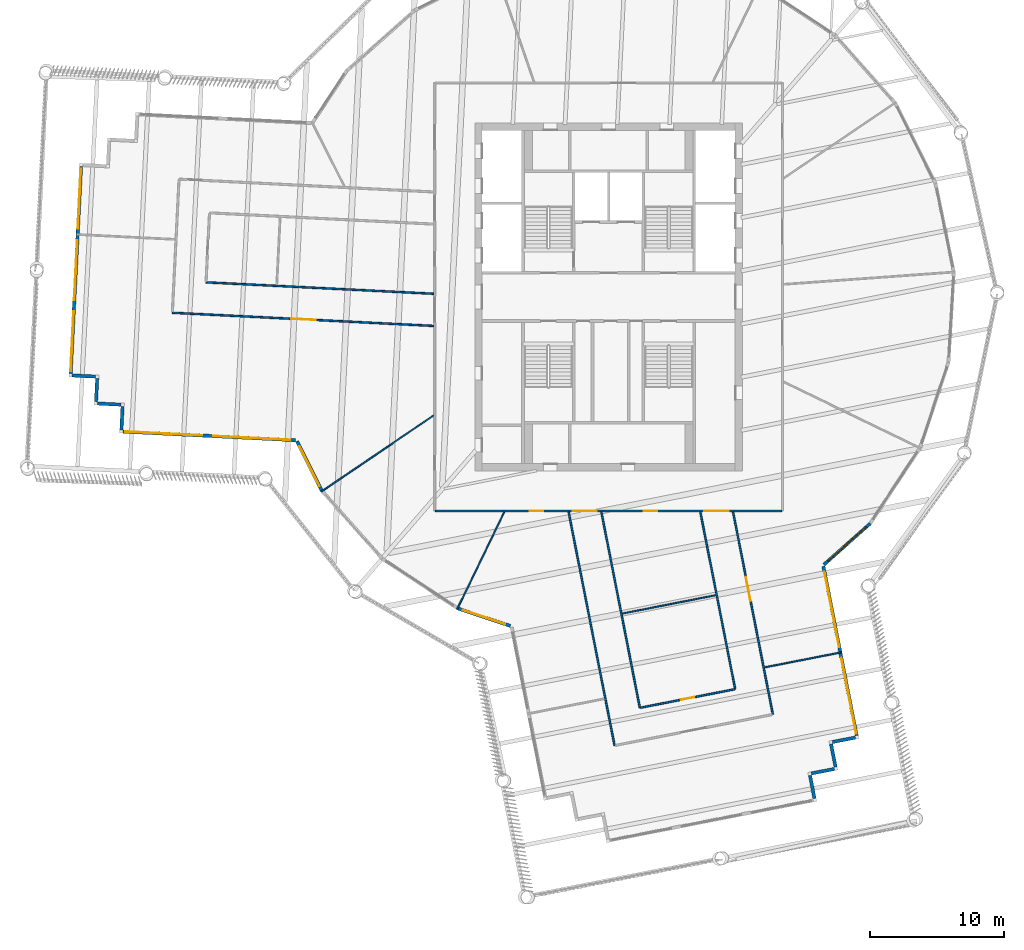
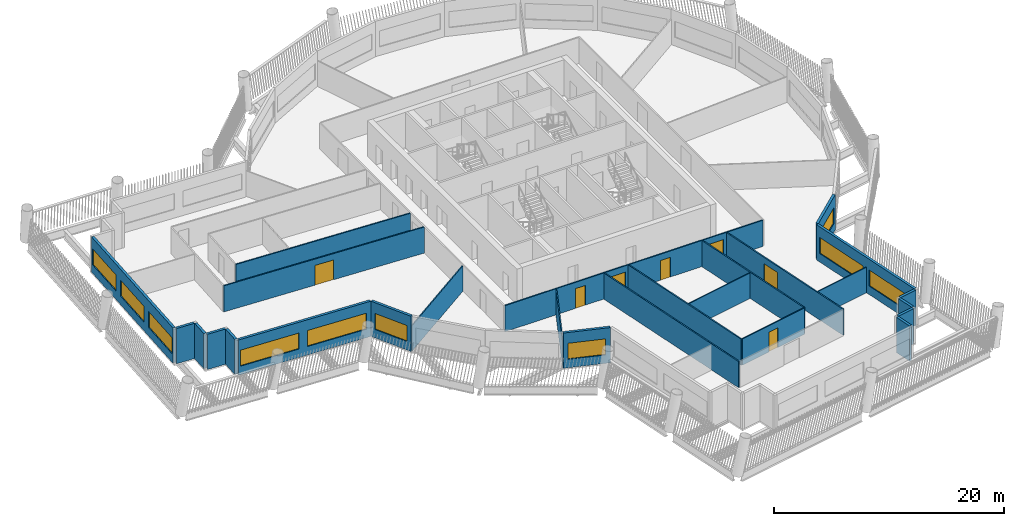
# One storey, part 3 of 14: 26 walls, 10 windows, 7 doors, 17 openings.
"""IFC4 building model written with IfcOpenShell, lengths in metres."""

from ifc_helpers import new_model, si_unit, direction, frame, frame_2d, origin, place, context, subcontext, project, spatial, rectangle, extrude, material, layer, layer_set, type_object, element, fill, save


model = new_model("IFC4")

# Units and contexts
model_context = context("Model", 3, precision=1e-05, world=origin(), true_north=direction((0.0, 1.0)))
body_context = subcontext(model_context, "Body", "Model", "MODEL_VIEW")
ifc_project = project(units=[si_unit("LENGTHUNIT", "METRE"), si_unit("AREAUNIT", "SQUARE_METRE"), si_unit("VOLUMEUNIT", "CUBIC_METRE"), si_unit("PLANEANGLEUNIT", "RADIAN"), si_unit("MASSUNIT", "GRAM", prefix="KILO")], contexts=[model_context])

# Site, building, storey
site_placement = place(None, origin())
site = spatial("IfcSite", under=ifc_project, at=site_placement, CompositionType="ELEMENT")
building_placement = place(site_placement, origin())
building = spatial("IfcBuilding", under=site, at=building_placement, Name="Tarsis Ring Headquarters", CompositionType="ELEMENT")
storey_placement = place(building_placement, frame((0.0, 0.0, 274.699951171875)))
storey = spatial("IfcBuildingStorey", under=building, at=storey_placement, Name="L64", CompositionType="ELEMENT", Elevation=274.699951171875)

# Walls
ifc_material_1 = material(Name="Gypsum board on steel studs", Category="steel")
ifc_layer_1 = layer(ifc_material_1, 0.10009765625)
ifc_layer_set_1 = layer_set([ifc_layer_1], Name="FL partition 100 unrated")
wall_type_1 = type_object("IfcWallType", Name="FL partition 100 unrated", PredefinedType="PARTITIONING", material=ifc_layer_set_1)
wall_1_placement = place(storey_placement, frame((-21.481201171875, -14.554931640625, 0.0), z_axis=(0.0, 0.0, 1.0), x_axis=(0.827865336764, 0.560926897363, 0.0)))
element("IfcWall", 1, at=wall_1_placement, inside=storey, type_object=wall_type_1, Name="Partition PW3", PredefinedType="PARTITIONING", context=body_context, shape_type="SweptSolid", body=[
    extrude(rectangle(XDim=10.144775390625, YDim=0.10009765625, at=frame_2d((5.072265625, 0.0))), origin(), (0.0, 0.0, 1.0), 2.699951171875),
])
wall_2_placement = place(storey_placement, frame((-11.325927734375, -23.345458984375, 0.0), z_axis=(0.0, 0.0, 1.0), x_axis=(0.436503187928, 0.899702710304, 0.0)))
element("IfcWall", 2, at=wall_2_placement, inside=storey, type_object=wall_type_1, Name="Partition PW3", PredefinedType="PARTITIONING", context=body_context, shape_type="SweptSolid", body=[
    extrude(rectangle(XDim=8.084228515625, YDim=0.10009765625, at=frame_2d((4.0419921875, 0.0))), origin(), (0.0, 0.0, 1.0), 2.699951171875),
])
wall_3_placement = place(storey_placement, frame((1.023681640625, -23.6669921875, 0.0), z_axis=(0.0, 0.0, 1.0), x_axis=(0.981222870935, 0.192877364027, 0.0)))
element("IfcWall", 3, at=wall_3_placement, inside=storey, type_object=wall_type_1, Name="Partition PW3", PredefinedType="PARTITIONING", context=body_context, shape_type="SweptSolid", body=[
    extrude(rectangle(XDim=7.1201171875, YDim=0.10009765625, at=frame_2d((3.56005859375, 0.0))), origin(), (0.0, 0.0, 1.0), 2.699951171875),
])
wall_4_placement = place(storey_placement, frame((11.659423828125, -27.691162109375, 0.0), z_axis=(0.0, 0.0, 1.0), x_axis=(0.981228518728, 0.19284862985, 0.0)))
element("IfcWall", 4, at=wall_4_placement, inside=storey, type_object=wall_type_1, Name="Partition PW3", PredefinedType="PARTITIONING", context=body_context, shape_type="SweptSolid", body=[
    extrude(rectangle(XDim=5.85009765625, YDim=0.10009765625, at=frame_2d((2.925048828125, 0.0))), origin(), (0.0, 0.0, 1.0), 2.699951171875),
])

# Wall, openings, doors
ifc_layer_2 = layer(ifc_material_1, 0.125)
ifc_layer_set_2 = layer_set([ifc_layer_2], Name="FL partition 125 EI 60 H2770")
wall_type_2 = type_object("IfcWallType", Name="FL partition 125 EI 60 H2770", PredefinedType="PARTITIONING", material=ifc_layer_set_2)
wall_5_placement = place(storey_placement, frame((-12.93994140625, -16.0, 0.0), z_axis=(0.0, 0.0, 1.0), x_axis=(1.0, 0.0, 0.0)))
wall_5 = element("IfcWall", 5, at=wall_5_placement, inside=storey, type_object=wall_type_2, Name="Partition PW1", PredefinedType="PARTITIONING", context=body_context, shape_type="SweptSolid", body=[
    extrude(rectangle(XDim=25.8798828125, YDim=0.125, at=frame_2d((12.93994140625, 0.0))), origin(), (0.0, 0.0, 1.0), 2.77001953125),
])
opening_1_placement = place(wall_5_placement, frame((7.05859375, 0.0, 0.0)))
opening_1 = element("IfcOpeningElement", 6, at=opening_1_placement, cuts=wall_5, Name="Opening D64.10", PredefinedType="OPENING", context=body_context, shape_type="SweptSolid", body=[
    extrude(rectangle(XDim=1.0, YDim=2.10009765625, at=frame_2d((0.5, 1.050048828125))), frame((0.0, 0.072509765625, 0.0), z_axis=(0.0, -1.0, 0.0), x_axis=(1.0, 0.0, 0.0)), (0.0, 0.0, 1.0), 0.14501953125),
])
opening_2_placement = place(wall_5_placement, frame((15.5849609375, 0.0, 0.0)))
opening_2 = element("IfcOpeningElement", 7, at=opening_2_placement, cuts=wall_5, Name="Opening D64.14", PredefinedType="OPENING", context=body_context, shape_type="SweptSolid", body=[
    extrude(rectangle(XDim=1.0, YDim=2.10009765625, at=frame_2d((0.5, 1.050048828125))), frame((0.0, 0.072509765625, 0.0), z_axis=(0.0, -1.0, 0.0), x_axis=(1.0, 0.0, 0.0)), (0.0, 0.0, 1.0), 0.14501953125),
])
opening_3_placement = place(wall_5_placement, frame((10.262451171875, 0.0, 0.0)))
opening_3 = element("IfcOpeningElement", 8, at=opening_3_placement, cuts=wall_5, Name="Opening D64.16", PredefinedType="OPENING", context=body_context, shape_type="SweptSolid", body=[
    extrude(rectangle(XDim=1.800048828125, YDim=2.10009765625, at=frame_2d((0.89990234375, 1.050048828125))), frame((0.0, 0.072509765625, 0.0), z_axis=(0.0, -1.0, 0.0), x_axis=(1.0, 0.0, 0.0)), (0.0, 0.0, 1.0), 0.14501953125),
])
opening_4_placement = place(wall_5_placement, frame((20.107421875, 0.0, 0.0)))
opening_4 = element("IfcOpeningElement", 9, at=opening_4_placement, cuts=wall_5, Name="Opening D64.17", PredefinedType="OPENING", context=body_context, shape_type="SweptSolid", body=[
    extrude(rectangle(XDim=1.800048828125, YDim=2.10009765625, at=frame_2d((0.89990234375, 1.050048828125))), frame((0.0, 0.072509765625, 0.0), z_axis=(0.0, -1.0, 0.0), x_axis=(1.0, 0.0, 0.0)), (0.0, 0.0, 1.0), 0.14501953125),
])
ifc_material_2 = material(Name="Fire-rated timber door leaf in steel frame", Category="steel")
door_type_1 = type_object("IfcDoorType", Name="FL door FD60-1000", OperationType="NOTDEFINED", PredefinedType="DOOR", material=ifc_material_2)
door_1_placement = place(opening_1_placement, origin())
door_1 = element("IfcDoor", 10, at=door_1_placement, inside=storey, type_object=door_type_1, Name="Door D64.10", OperationType="SINGLE_SWING_RIGHT", OverallHeight=2.10009765625, OverallWidth=1.0, PredefinedType="DOOR", context=body_context, shape_type="SweptSolid", body=[
    extrude(rectangle(XDim=1.0, YDim=2.10009765625, at=frame_2d((0.5, 1.050048828125))), frame((0.0, 0.02490234375, 0.0), z_axis=(0.0, -1.0, 0.0), x_axis=(1.0, 0.0, 0.0)), (0.0, 0.0, 1.0), 0.050048828125),
])
fill(opening_1, door_1)
door_2_placement = place(opening_2_placement, origin())
door_2 = element("IfcDoor", 11, at=door_2_placement, inside=storey, type_object=door_type_1, Name="Door D64.14", OperationType="SINGLE_SWING_RIGHT", OverallHeight=2.10009765625, OverallWidth=1.0, PredefinedType="DOOR", context=body_context, shape_type="SweptSolid", body=[
    extrude(rectangle(XDim=1.0, YDim=2.10009765625, at=frame_2d((0.5, 1.050048828125))), frame((0.0, 0.02490234375, 0.0), z_axis=(0.0, -1.0, 0.0), x_axis=(1.0, 0.0, 0.0)), (0.0, 0.0, 1.0), 0.050048828125),
])
fill(opening_2, door_2)
door_type_2 = type_object("IfcDoorType", Name="FL door FD60-1800", OperationType="DOUBLE_DOOR_SINGLE_SWING", PredefinedType="DOOR", material=ifc_material_2)
door_3_placement = place(opening_3_placement, origin())
door_3 = element("IfcDoor", 12, at=door_3_placement, inside=storey, type_object=door_type_2, Name="Door D64.16", OperationType="DOUBLE_DOOR_SINGLE_SWING", OverallHeight=2.10009765625, OverallWidth=1.800048828125, PredefinedType="DOOR", context=body_context, shape_type="SweptSolid", body=[
    extrude(rectangle(XDim=1.800048828125, YDim=2.10009765625, at=frame_2d((0.89990234375, 1.050048828125))), frame((0.0, 0.02490234375, 0.0), z_axis=(0.0, -1.0, 0.0), x_axis=(1.0, 0.0, 0.0)), (0.0, 0.0, 1.0), 0.050048828125),
])
fill(opening_3, door_3)
door_4_placement = place(opening_4_placement, origin())
door_4 = element("IfcDoor", 13, at=door_4_placement, inside=storey, type_object=door_type_2, Name="Door D64.17", OperationType="DOUBLE_DOOR_SINGLE_SWING", OverallHeight=2.10009765625, OverallWidth=1.800048828125, PredefinedType="DOOR", context=body_context, shape_type="SweptSolid", body=[
    extrude(rectangle(XDim=1.800048828125, YDim=2.10009765625, at=frame_2d((0.89990234375, 1.050048828125))), frame((0.0, 0.02490234375, 0.0), z_axis=(0.0, -1.0, 0.0), x_axis=(1.0, 0.0, 0.0)), (0.0, 0.0, 1.0), 0.050048828125),
])
fill(opening_4, door_4)

# Wall, opening, door
wall_6_placement = place(storey_placement, frame((-32.610595703125, -1.18310546875, 0.0), z_axis=(0.0, 0.0, 1.0), x_axis=(0.99873732648, -0.050236965434, 0.0)))
wall_6 = element("IfcWall", 14, at=wall_6_placement, inside=storey, type_object=wall_type_2, Name="Partition PW1", PredefinedType="PARTITIONING", context=body_context, shape_type="SweptSolid", body=[
    extrude(rectangle(XDim=19.5654296875, YDim=0.125, at=frame_2d((9.78271484375, 0.0))), origin(), (0.0, 0.0, 1.0), 2.77001953125),
])
opening_5_placement = place(wall_6_placement, frame((8.917724609375, 0.0, 0.0)))
opening_5 = element("IfcOpeningElement", 15, at=opening_5_placement, cuts=wall_6, Name="Opening D64.01", PredefinedType="OPENING", context=body_context, shape_type="SweptSolid", body=[
    extrude(rectangle(XDim=1.800048828125, YDim=2.10009765625, at=frame_2d((0.89990234375, 1.050048828125))), frame((0.0, 0.072509765625, 0.0), z_axis=(0.0, -1.0, 0.0), x_axis=(1.0, 0.0, 0.0)), (0.0, 0.0, 1.0), 0.14501953125),
])
door_5_placement = place(opening_5_placement, origin())
door_5 = element("IfcDoor", 16, at=door_5_placement, inside=storey, type_object=door_type_2, Name="Door D64.01", OperationType="DOUBLE_DOOR_SINGLE_SWING", OverallHeight=2.10009765625, OverallWidth=1.800048828125, PredefinedType="DOOR", context=body_context, shape_type="SweptSolid", body=[
    extrude(rectangle(XDim=1.800048828125, YDim=2.10009765625, at=frame_2d((0.89990234375, 1.050048828125))), frame((0.0, 0.02490234375, 0.0), z_axis=(0.0, -1.0, 0.0), x_axis=(1.0, 0.0, 0.0)), (0.0, 0.0, 1.0), 0.050048828125),
])
fill(opening_5, door_5)

# Walls
wall_7_placement = place(storey_placement, frame((-2.987060546875, -16.068603515625, 0.0), z_axis=(0.0, 0.0, 1.0), x_axis=(0.192865342602, -0.98122523389, 0.0)))
element("IfcWall", 17, at=wall_7_placement, inside=storey, type_object=wall_type_2, Name="Partition PW1", PredefinedType="PARTITIONING", context=body_context, shape_type="SweptSolid", body=[
    extrude(rectangle(XDim=17.79931640625, YDim=0.125, at=frame_2d((8.899658203125, 0.0))), origin(), (0.0, 0.0, 1.0), 2.77001953125),
])
wall_8_placement = place(storey_placement, frame((-30.093017578125, 1.093505859375, 0.0), z_axis=(0.0, 0.0, 1.0), x_axis=(0.99873682442, -0.05024694566, 0.0)))
element("IfcWall", 18, at=wall_8_placement, inside=storey, type_object=wall_type_2, Name="Partition PW1", PredefinedType="PARTITIONING", context=body_context, shape_type="SweptSolid", body=[
    extrude(rectangle(XDim=17.044677734375, YDim=0.125, at=frame_2d((8.5224609375, 0.0))), origin(), (0.0, 0.0, 1.0), 2.77001953125),
])

# Wall, opening, door
wall_9_placement = place(storey_placement, frame((9.3037109375, -16.068603515625, 0.0), z_axis=(0.0, 0.0, 1.0), x_axis=(0.192859027247, -0.981226475188, 0.0)))
wall_9 = element("IfcWall", 19, at=wall_9_placement, inside=storey, type_object=wall_type_2, Name="Partition PW1", PredefinedType="PARTITIONING", context=body_context, shape_type="SweptSolid", body=[
    extrude(rectangle(XDim=15.4287109375, YDim=0.125, at=frame_2d((7.71435546875, 0.0))), origin(), (0.0, 0.0, 1.0), 2.77001953125),
])
opening_6_placement = place(wall_9_placement, frame((4.99658203125, 0.0, 0.0)))
opening_6 = element("IfcOpeningElement", 20, at=opening_6_placement, cuts=wall_9, Name="Opening D64.08", PredefinedType="OPENING", context=body_context, shape_type="SweptSolid", body=[
    extrude(rectangle(XDim=1.800048828125, YDim=2.10009765625, at=frame_2d((0.89990234375, 1.050048828125))), frame((0.0, 0.072509765625, 0.0), z_axis=(0.0, -1.0, 0.0), x_axis=(1.0, 0.0, 0.0)), (0.0, 0.0, 1.0), 0.14501953125),
])
door_6_placement = place(opening_6_placement, origin())
door_6 = element("IfcDoor", 21, at=door_6_placement, inside=storey, type_object=door_type_2, Name="Door D64.08", OperationType="DOUBLE_DOOR_SINGLE_SWING", OverallHeight=2.10009765625, OverallWidth=1.800048828125, PredefinedType="DOOR", context=body_context, shape_type="SweptSolid", body=[
    extrude(rectangle(XDim=1.800048828125, YDim=2.10009765625, at=frame_2d((0.89990234375, 1.050048828125))), frame((0.0, 0.02490234375, 0.0), z_axis=(0.0, -1.0, 0.0), x_axis=(1.0, 0.0, 0.0)), (0.0, 0.0, 1.0), 0.050048828125),
])
fill(opening_6, door_6)

# Walls
wall_10_placement = place(storey_placement, frame((-0.541015625, -16.068603515625, 0.0), z_axis=(0.0, 0.0, 1.0), x_axis=(0.192859753515, -0.98122633244, 0.0)))
element("IfcWall", 22, at=wall_10_placement, inside=storey, type_object=wall_type_2, Name="Partition PW1", PredefinedType="PARTITIONING", context=body_context, shape_type="SweptSolid", body=[
    extrude(rectangle(XDim=14.927490234375, YDim=0.125, at=frame_2d((7.4638671875, 0.0))), origin(), (0.0, 0.0, 1.0), 2.77001953125),
])
wall_11_placement = place(storey_placement, frame((6.85791015625, -16.068603515625, 0.0), z_axis=(0.0, 0.0, 1.0), x_axis=(0.192863455143, -0.981225604879, 0.0)))
element("IfcWall", 23, at=wall_11_placement, inside=storey, type_object=wall_type_2, Name="Partition PW1", PredefinedType="PARTITIONING", context=body_context, shape_type="SweptSolid", body=[
    extrude(rectangle(XDim=13.50048828125, YDim=0.125, at=frame_2d((6.750244140625, 0.0))), origin(), (0.0, 0.0, 1.0), 2.77001953125),
])

# Wall, opening, door
wall_12_placement = place(storey_placement, frame((2.396728515625, -30.7041015625, 0.0), z_axis=(0.0, 0.0, 1.0), x_axis=(0.981227565429, 0.192853480242, 0.0)))
wall_12 = element("IfcWall", 24, at=wall_12_placement, inside=storey, type_object=wall_type_2, Name="Partition PW1", PredefinedType="PARTITIONING", context=body_context, shape_type="SweptSolid", body=[
    extrude(rectangle(XDim=7.139892578125, YDim=0.125, at=frame_2d((3.56982421875, 0.0))), origin(), (0.0, 0.0, 1.0), 2.77001953125),
])
opening_7_placement = place(wall_12_placement, frame((3.070068359375, 0.0, 0.0)))
opening_7 = element("IfcOpeningElement", 25, at=opening_7_placement, cuts=wall_12, Name="Opening D64.15", PredefinedType="OPENING", context=body_context, shape_type="SweptSolid", body=[
    extrude(rectangle(XDim=1.0, YDim=2.10009765625, at=frame_2d((0.5, 1.050048828125))), frame((0.0, 0.072509765625, 0.0), z_axis=(0.0, -1.0, 0.0), x_axis=(1.0, 0.0, 0.0)), (0.0, 0.0, 1.0), 0.14501953125),
])
door_7_placement = place(opening_7_placement, origin())
door_7 = element("IfcDoor", 26, at=door_7_placement, inside=storey, type_object=door_type_1, Name="Door D64.15", OperationType="SINGLE_SWING_LEFT", OverallHeight=2.10009765625, OverallWidth=1.0, PredefinedType="DOOR", context=body_context, shape_type="SweptSolid", body=[
    extrude(rectangle(XDim=1.0, YDim=2.10009765625, at=frame_2d((0.5, 1.050048828125))), frame((0.0, 0.02490234375, 0.0), z_axis=(0.0, -1.0, 0.0), x_axis=(1.0, 0.0, 0.0)), (0.0, 0.0, 1.0), 0.050048828125),
])
fill(opening_7, door_7)

# Wall, openings, windows
ifc_material_3 = material(Name="Terracotta clad insulated panel wall", Category="masonry")
ifc_layer_3 = layer(ifc_material_3, 0.25)
ifc_layer_set_3 = layer_set([ifc_layer_3], Name="Facade wall terracotta panel 250")
wall_type_3 = type_object("IfcWallType", Name="Facade wall terracotta panel 250", PredefinedType="STANDARD", material=ifc_layer_set_3)
wall_13_placement = place(storey_placement, frame((-36.301513671875, -10.063720703125, 0.0), z_axis=(0.0, 0.0, 1.0), x_axis=(0.998736363087, -0.050256114521, 0.0)))
wall_13 = element("IfcWall", 27, at=wall_13_placement, inside=storey, type_object=wall_type_3, Name="External wall L64-01", PredefinedType="STANDARD", context=body_context, shape_type="SweptSolid", body=[
    extrude(rectangle(XDim=12.922119140625, YDim=0.25, at=frame_2d((6.4609375, 0.0))), origin(), (0.0, 0.0, 1.0), 3.739990234375),
])
opening_8_placement = place(wall_13_placement, frame((0.16796875, 0.0, 0.89990234375)))
opening_8 = element("IfcOpeningElement", 28, at=opening_8_placement, cuts=wall_13, Name="Opening WN06", PredefinedType="OPENING", context=body_context, shape_type="SweptSolid", body=[
    extrude(rectangle(XDim=5.75, YDim=1.699951171875, at=frame_2d((2.875, 0.85009765625))), frame((0.0, 0.135009765625, 0.0), z_axis=(0.0, -1.0, 0.0), x_axis=(1.0, 0.0, 0.0)), (0.0, 0.0, 1.0), 0.27001953125),
])
opening_9_placement = place(wall_13_placement, frame((6.75390625, 0.0, 0.89990234375)))
opening_9 = element("IfcOpeningElement", 29, at=opening_9_placement, cuts=wall_13, Name="Opening WN06", PredefinedType="OPENING", context=body_context, shape_type="SweptSolid", body=[
    extrude(rectangle(XDim=5.75, YDim=1.699951171875, at=frame_2d((2.875, 0.85009765625))), frame((0.0, 0.135009765625, 0.0), z_axis=(0.0, -1.0, 0.0), x_axis=(1.0, 0.0, 0.0)), (0.0, 0.0, 1.0), 0.27001953125),
])
ifc_material_4 = material(Name="Aluminium framed double glazing", Category="aluminium")
window_type_1 = type_object("IfcWindowType", Name="Facade window 5750 x 1700", PartitioningType="SINGLE_PANEL", PredefinedType="WINDOW", material=ifc_material_4)
window_1_placement = place(opening_8_placement, origin())
window_1 = element("IfcWindow", 30, at=window_1_placement, inside=storey, type_object=window_type_1, Name="Window L64-01.1", OverallHeight=1.699951171875, OverallWidth=5.75, PartitioningType="SINGLE_PANEL", PredefinedType="WINDOW", context=body_context, shape_type="SweptSolid", body=[
    extrude(rectangle(XDim=5.75, YDim=1.699951171875, at=frame_2d((2.875, 0.85009765625))), frame((0.0, 0.030029296875, 0.0), z_axis=(0.0, -1.0, 0.0), x_axis=(1.0, 0.0, 0.0)), (0.0, 0.0, 1.0), 0.06005859375),
])
fill(opening_8, window_1)
window_2_placement = place(opening_9_placement, origin())
window_2 = element("IfcWindow", 31, at=window_2_placement, inside=storey, type_object=window_type_1, Name="Window L64-01.2", OverallHeight=1.699951171875, OverallWidth=5.75, PartitioningType="SINGLE_PANEL", PredefinedType="WINDOW", context=body_context, shape_type="SweptSolid", body=[
    extrude(rectangle(XDim=5.75, YDim=1.699951171875, at=frame_2d((2.875, 0.85009765625))), frame((0.0, 0.030029296875, 0.0), z_axis=(0.0, -1.0, 0.0), x_axis=(1.0, 0.0, 0.0)), (0.0, 0.0, 1.0), 0.06005859375),
])
fill(opening_9, window_2)

# Wall, opening, window
wall_14_placement = place(storey_placement, frame((-23.290283203125, -10.78173828125, 0.0), z_axis=(0.0, 0.0, 1.0), x_axis=(0.44803549007, -0.89401577147, 0.0)))
wall_14 = element("IfcWall", 32, at=wall_14_placement, inside=storey, type_object=wall_type_3, Name="External wall L64-02", PredefinedType="STANDARD", context=body_context, shape_type="SweptSolid", body=[
    extrude(rectangle(XDim=4.15771484375, YDim=0.25, at=frame_2d((2.078857421875, 0.0))), origin(), (0.0, 0.0, 1.0), 3.739990234375),
])
opening_10_placement = place(wall_14_placement, frame((0.420166015625, 0.0, 0.89990234375)))
opening_10 = element("IfcOpeningElement", 33, at=opening_10_placement, cuts=wall_14, Name="Opening WN01", PredefinedType="OPENING", context=body_context, shape_type="SweptSolid", body=[
    extrude(rectangle(XDim=3.35009765625, YDim=1.699951171875, at=frame_2d((1.675048828125, 0.85009765625))), frame((0.0, 0.135009765625, 0.0), z_axis=(0.0, -1.0, 0.0), x_axis=(1.0, 0.0, 0.0)), (0.0, 0.0, 1.0), 0.27001953125),
])
window_type_2 = type_object("IfcWindowType", Name="Facade window 3350 x 1700", PartitioningType="SINGLE_PANEL", PredefinedType="WINDOW", material=ifc_material_4)
window_3_placement = place(opening_10_placement, origin())
window_3 = element("IfcWindow", 34, at=window_3_placement, inside=storey, type_object=window_type_2, Name="Window L64-02.1", OverallHeight=1.699951171875, OverallWidth=3.35009765625, PartitioningType="SINGLE_PANEL", PredefinedType="WINDOW", context=body_context, shape_type="SweptSolid", body=[
    extrude(rectangle(XDim=3.35009765625, YDim=1.699951171875, at=frame_2d((1.675048828125, 0.85009765625))), frame((0.0, 0.030029296875, 0.0), z_axis=(0.0, -1.0, 0.0), x_axis=(1.0, 0.0, 0.0)), (0.0, 0.0, 1.0), 0.06005859375),
])
fill(opening_10, window_3)

wall_15_placement = place(storey_placement, frame((-11.278076171875, -23.2841796875, 0.0), z_axis=(0.0, 0.0, 1.0), x_axis=(0.948982347296, -0.315329200234, 0.0)))
wall_15 = element("IfcWall", 35, at=wall_15_placement, inside=storey, type_object=wall_type_3, Name="External wall L64-05", PredefinedType="STANDARD", context=body_context, shape_type="SweptSolid", body=[
    extrude(rectangle(XDim=4.15771484375, YDim=0.25, at=frame_2d((2.078857421875, 0.0))), origin(), (0.0, 0.0, 1.0), 3.739990234375),
])
opening_11_placement = place(wall_15_placement, frame((0.38720703125, 0.0, 0.89990234375)))
opening_11 = element("IfcOpeningElement", 36, at=opening_11_placement, cuts=wall_15, Name="Opening WN01", PredefinedType="OPENING", context=body_context, shape_type="SweptSolid", body=[
    extrude(rectangle(XDim=3.35009765625, YDim=1.699951171875, at=frame_2d((1.675048828125, 0.85009765625))), frame((0.0, 0.135009765625, 0.0), z_axis=(0.0, -1.0, 0.0), x_axis=(1.0, 0.0, 0.0)), (0.0, 0.0, 1.0), 0.27001953125),
])
window_4_placement = place(opening_11_placement, origin())
window_4 = element("IfcWindow", 37, at=window_4_placement, inside=storey, type_object=window_type_2, Name="Window L64-05.1", OverallHeight=1.699951171875, OverallWidth=3.35009765625, PartitioningType="SINGLE_PANEL", PredefinedType="WINDOW", context=body_context, shape_type="SweptSolid", body=[
    extrude(rectangle(XDim=3.35009765625, YDim=1.699951171875, at=frame_2d((1.675048828125, 0.85009765625))), frame((0.0, 0.030029296875, 0.0), z_axis=(0.0, -1.0, 0.0), x_axis=(1.0, 0.0, 0.0)), (0.0, 0.0, 1.0), 0.06005859375),
])
fill(opening_11, window_4)

# Walls
for number, where, z_axis, x_axis, name in (
    (38, (15.3935546875, -37.48486328125, 0.0), (0.0, 0.0, 1.0), (-0.192949196472, 0.981208748219, 0.0), "External wall L64-12"),
    (39, (15.154541015625, -35.62109375, 0.0), (0.0, 0.0, 1.0), (0.981208748219, 0.192949196472, 0.0), "External wall L64-13"),
):
    element("IfcWall", number, at=place(storey_placement, frame(where, z_axis=z_axis, x_axis=x_axis)), inside=storey, type_object=wall_type_3, Name=name, PredefinedType="STANDARD", context=body_context, shape_type="SweptSolid", body=[
        extrude(rectangle(XDim=1.75, YDim=0.25, at=frame_2d((0.875, 0.0))), origin(), (0.0, 0.0, 1.0), 3.739990234375),
    ])
wall_16_placement = place(storey_placement, frame((16.97021484375, -35.13671875, 0.0), z_axis=(0.0, 0.0, 1.0), x_axis=(-0.192814870142, 0.981235153188, 0.0)))
element("IfcWall", 40, at=wall_16_placement, inside=storey, type_object=wall_type_3, Name="External wall L64-14", PredefinedType="STANDARD", context=body_context, shape_type="SweptSolid", body=[
    extrude(rectangle(XDim=1.749755859375, YDim=0.25, at=frame_2d((0.875, 0.0))), origin(), (0.0, 0.0, 1.0), 3.739990234375),
])
wall_17_placement = place(storey_placement, frame((16.731201171875, -33.272705078125, 0.0), z_axis=(0.0, 0.0, 1.0), x_axis=(0.981240339091, 0.1927884772, 0.0)))
element("IfcWall", 41, at=wall_17_placement, inside=storey, type_object=wall_type_3, Name="External wall L64-15", PredefinedType="STANDARD", context=body_context, shape_type="SweptSolid", body=[
    extrude(rectangle(XDim=1.75, YDim=0.25, at=frame_2d((0.875, 0.0))), origin(), (0.0, 0.0, 1.0), 3.739990234375),
])

# Wall, openings, windows
wall_18_placement = place(storey_placement, frame((18.546875, -32.78857421875, 0.0), z_axis=(0.0, 0.0, 1.0), x_axis=(-0.192850722126, 0.981228107514, 0.0)))
wall_18 = element("IfcWall", 42, at=wall_18_placement, inside=storey, type_object=wall_type_3, Name="External wall L64-16", PredefinedType="STANDARD", context=body_context, shape_type="SweptSolid", body=[
    extrude(rectangle(XDim=12.9013671875, YDim=0.25, at=frame_2d((6.45068359375, 0.0))), origin(), (0.0, 0.0, 1.0), 3.739990234375),
])
opening_12_placement = place(wall_18_placement, frame((0.162841796875, 0.0, 0.89990234375)))
opening_12 = element("IfcOpeningElement", 43, at=opening_12_placement, cuts=wall_18, Name="Opening WN06", PredefinedType="OPENING", context=body_context, shape_type="SweptSolid", body=[
    extrude(rectangle(XDim=5.75, YDim=1.699951171875, at=frame_2d((2.875, 0.85009765625))), frame((0.0, 0.135009765625, 0.0), z_axis=(0.0, -1.0, 0.0), x_axis=(1.0, 0.0, 0.0)), (0.0, 0.0, 1.0), 0.27001953125),
])
opening_13_placement = place(wall_18_placement, frame((6.738525390625, 0.0, 0.89990234375)))
opening_13 = element("IfcOpeningElement", 44, at=opening_13_placement, cuts=wall_18, Name="Opening WN06", PredefinedType="OPENING", context=body_context, shape_type="SweptSolid", body=[
    extrude(rectangle(XDim=5.75, YDim=1.699951171875, at=frame_2d((2.875, 0.85009765625))), frame((0.0, 0.135009765625, 0.0), z_axis=(0.0, -1.0, 0.0), x_axis=(1.0, 0.0, 0.0)), (0.0, 0.0, 1.0), 0.27001953125),
])
window_5_placement = place(opening_12_placement, origin())
window_5 = element("IfcWindow", 45, at=window_5_placement, inside=storey, type_object=window_type_1, Name="Window L64-16.1", OverallHeight=1.699951171875, OverallWidth=5.75, PartitioningType="SINGLE_PANEL", PredefinedType="WINDOW", context=body_context, shape_type="SweptSolid", body=[
    extrude(rectangle(XDim=5.75, YDim=1.699951171875, at=frame_2d((2.875, 0.85009765625))), frame((0.0, 0.030029296875, 0.0), z_axis=(0.0, -1.0, 0.0), x_axis=(1.0, 0.0, 0.0)), (0.0, 0.0, 1.0), 0.06005859375),
])
fill(opening_12, window_5)
window_6_placement = place(opening_13_placement, origin())
window_6 = element("IfcWindow", 46, at=window_6_placement, inside=storey, type_object=window_type_1, Name="Window L64-16.2", OverallHeight=1.699951171875, OverallWidth=5.75, PartitioningType="SINGLE_PANEL", PredefinedType="WINDOW", context=body_context, shape_type="SweptSolid", body=[
    extrude(rectangle(XDim=5.75, YDim=1.699951171875, at=frame_2d((2.875, 0.85009765625))), frame((0.0, 0.030029296875, 0.0), z_axis=(0.0, -1.0, 0.0), x_axis=(1.0, 0.0, 0.0)), (0.0, 0.0, 1.0), 0.06005859375),
])
fill(opening_13, window_6)

# Wall, opening, window
wall_19_placement = place(storey_placement, frame((16.098388671875, -20.011962890625, 0.0), z_axis=(0.0, 0.0, 1.0), x_axis=(0.747563893918, 0.66418990094, 0.0)))
wall_19 = element("IfcWall", 47, at=wall_19_placement, inside=storey, type_object=wall_type_3, Name="External wall L64-17", PredefinedType="STANDARD", context=body_context, shape_type="SweptSolid", body=[
    extrude(rectangle(XDim=4.617919921875, YDim=0.25, at=frame_2d((2.30908203125, 0.0))), origin(), (0.0, 0.0, 1.0), 3.739990234375),
])
opening_14_placement = place(wall_19_placement, frame((0.400390625, 0.0, 0.89990234375)))
opening_14 = element("IfcOpeningElement", 48, at=opening_14_placement, cuts=wall_19, Name="Opening WN02", PredefinedType="OPENING", context=body_context, shape_type="SweptSolid", body=[
    extrude(rectangle(XDim=3.85009765625, YDim=1.699951171875, at=frame_2d((1.925048828125, 0.85009765625))), frame((0.0, 0.135009765625, 0.0), z_axis=(0.0, -1.0, 0.0), x_axis=(1.0, 0.0, 0.0)), (0.0, 0.0, 1.0), 0.27001953125),
])
window_type_3 = type_object("IfcWindowType", Name="Facade window 3850 x 1700", PartitioningType="SINGLE_PANEL", PredefinedType="WINDOW", material=ifc_material_4)
window_7_placement = place(opening_14_placement, origin())
window_7 = element("IfcWindow", 49, at=window_7_placement, inside=storey, type_object=window_type_3, Name="Window L64-17.1", OverallHeight=1.699951171875, OverallWidth=3.85009765625, PartitioningType="SINGLE_PANEL", PredefinedType="WINDOW", context=body_context, shape_type="SweptSolid", body=[
    extrude(rectangle(XDim=3.85009765625, YDim=1.699951171875, at=frame_2d((1.925048828125, 0.85009765625))), frame((0.0, 0.030029296875, 0.0), z_axis=(0.0, -1.0, 0.0), x_axis=(1.0, 0.0, 0.0)), (0.0, 0.0, 1.0), 0.06005859375),
])
fill(opening_14, window_7)

# Wall, openings, windows
wall_20_placement = place(storey_placement, frame((-39.435302734375, 9.74365234375, 0.0), z_axis=(0.0, 0.0, 1.0), x_axis=(-0.050245563521, -0.998736893955, 0.0)))
wall_20 = element("IfcWall", 50, at=wall_20_placement, inside=storey, type_object=wall_type_3, Name="External wall L64-36", PredefinedType="STANDARD", context=body_context, shape_type="SweptSolid", body=[
    extrude(rectangle(XDim=15.5, YDim=0.25, at=frame_2d((7.75, 0.0))), origin(), (0.0, 0.0, 1.0), 3.739990234375),
])
opening_15_placement = place(wall_20_placement, frame((0.166748046875, 0.0, 0.89990234375)))
opening_15 = element("IfcOpeningElement", 51, at=opening_15_placement, cuts=wall_20, Name="Opening WN04", PredefinedType="OPENING", context=body_context, shape_type="SweptSolid", body=[
    extrude(rectangle(XDim=4.5, YDim=1.699951171875, at=frame_2d((2.25, 0.85009765625))), frame((0.0, 0.135009765625, 0.0), z_axis=(0.0, -1.0, 0.0), x_axis=(1.0, 0.0, 0.0)), (0.0, 0.0, 1.0), 0.27001953125),
])
opening_16_placement = place(wall_20_placement, frame((5.5, 0.0, 0.89990234375)))
opening_16 = element("IfcOpeningElement", 52, at=opening_16_placement, cuts=wall_20, Name="Opening WN04", PredefinedType="OPENING", context=body_context, shape_type="SweptSolid", body=[
    extrude(rectangle(XDim=4.5, YDim=1.699951171875, at=frame_2d((2.25, 0.85009765625))), frame((0.0, 0.135009765625, 0.0), z_axis=(0.0, -1.0, 0.0), x_axis=(1.0, 0.0, 0.0)), (0.0, 0.0, 1.0), 0.27001953125),
])
opening_17_placement = place(wall_20_placement, frame((10.833251953125, 0.0, 0.89990234375)))
opening_17 = element("IfcOpeningElement", 53, at=opening_17_placement, cuts=wall_20, Name="Opening WN04", PredefinedType="OPENING", context=body_context, shape_type="SweptSolid", body=[
    extrude(rectangle(XDim=4.5, YDim=1.699951171875, at=frame_2d((2.25, 0.85009765625))), frame((0.0, 0.135009765625, 0.0), z_axis=(0.0, -1.0, 0.0), x_axis=(1.0, 0.0, 0.0)), (0.0, 0.0, 1.0), 0.27001953125),
])
window_type_4 = type_object("IfcWindowType", Name="Facade window 4500 x 1700", PartitioningType="SINGLE_PANEL", PredefinedType="WINDOW", material=ifc_material_4)
window_8_placement = place(opening_15_placement, origin())
window_8 = element("IfcWindow", 54, at=window_8_placement, inside=storey, type_object=window_type_4, Name="Window L64-36.1", OverallHeight=1.699951171875, OverallWidth=4.5, PartitioningType="SINGLE_PANEL", PredefinedType="WINDOW", context=body_context, shape_type="SweptSolid", body=[
    extrude(rectangle(XDim=4.5, YDim=1.699951171875, at=frame_2d((2.25, 0.85009765625))), frame((0.0, 0.030029296875, 0.0), z_axis=(0.0, -1.0, 0.0), x_axis=(1.0, 0.0, 0.0)), (0.0, 0.0, 1.0), 0.06005859375),
])
fill(opening_15, window_8)
window_9_placement = place(opening_16_placement, origin())
window_9 = element("IfcWindow", 55, at=window_9_placement, inside=storey, type_object=window_type_4, Name="Window L64-36.2", OverallHeight=1.699951171875, OverallWidth=4.5, PartitioningType="SINGLE_PANEL", PredefinedType="WINDOW", context=body_context, shape_type="SweptSolid", body=[
    extrude(rectangle(XDim=4.5, YDim=1.699951171875, at=frame_2d((2.25, 0.85009765625))), frame((0.0, 0.030029296875, 0.0), z_axis=(0.0, -1.0, 0.0), x_axis=(1.0, 0.0, 0.0)), (0.0, 0.0, 1.0), 0.06005859375),
])
fill(opening_16, window_9)
window_10_placement = place(opening_17_placement, origin())
window_10 = element("IfcWindow", 56, at=window_10_placement, inside=storey, type_object=window_type_4, Name="Window L64-36.3", OverallHeight=1.699951171875, OverallWidth=4.5, PartitioningType="SINGLE_PANEL", PredefinedType="WINDOW", context=body_context, shape_type="SweptSolid", body=[
    extrude(rectangle(XDim=4.5, YDim=1.699951171875, at=frame_2d((2.25, 0.85009765625))), frame((0.0, 0.030029296875, 0.0), z_axis=(0.0, -1.0, 0.0), x_axis=(1.0, 0.0, 0.0)), (0.0, 0.0, 1.0), 0.06005859375),
])
fill(opening_17, window_10)

# Walls
for number, where, z_axis, x_axis, name in (
    (57, (-40.095458984375, -5.867919921875, 0.0), (0.0, 0.0, 1.0), (0.998738034221, -0.050222893186, 0.0), "External wall L64-37"),
    (58, (-38.22900390625, -6.0869140625, 0.0), (0.0, 0.0, 1.0), (-0.050362047872, -0.998731026921, 0.0), "External wall L64-38"),
    (59, (-38.198486328125, -7.9658203125, 0.0), (0.0, 0.0, 1.0), (0.998738034221, -0.050222893186, 0.0), "External wall L64-39"),
    (60, (-36.33203125, -8.184814453125, 0.0), (0.0, 0.0, 1.0), (-0.050362047872, -0.998731026921, 0.0), "External wall L64-40"),
):
    element("IfcWall", number, at=place(storey_placement, frame(where, z_axis=z_axis, x_axis=x_axis)), inside=storey, type_object=wall_type_3, Name=name, PredefinedType="STANDARD", context=body_context, shape_type="SweptSolid", body=[
        extrude(rectangle(XDim=1.75, YDim=0.25, at=frame_2d((0.875, 0.0))), origin(), (0.0, 0.0, 1.0), 3.739990234375),
    ])

save(model, "model.ifc")
